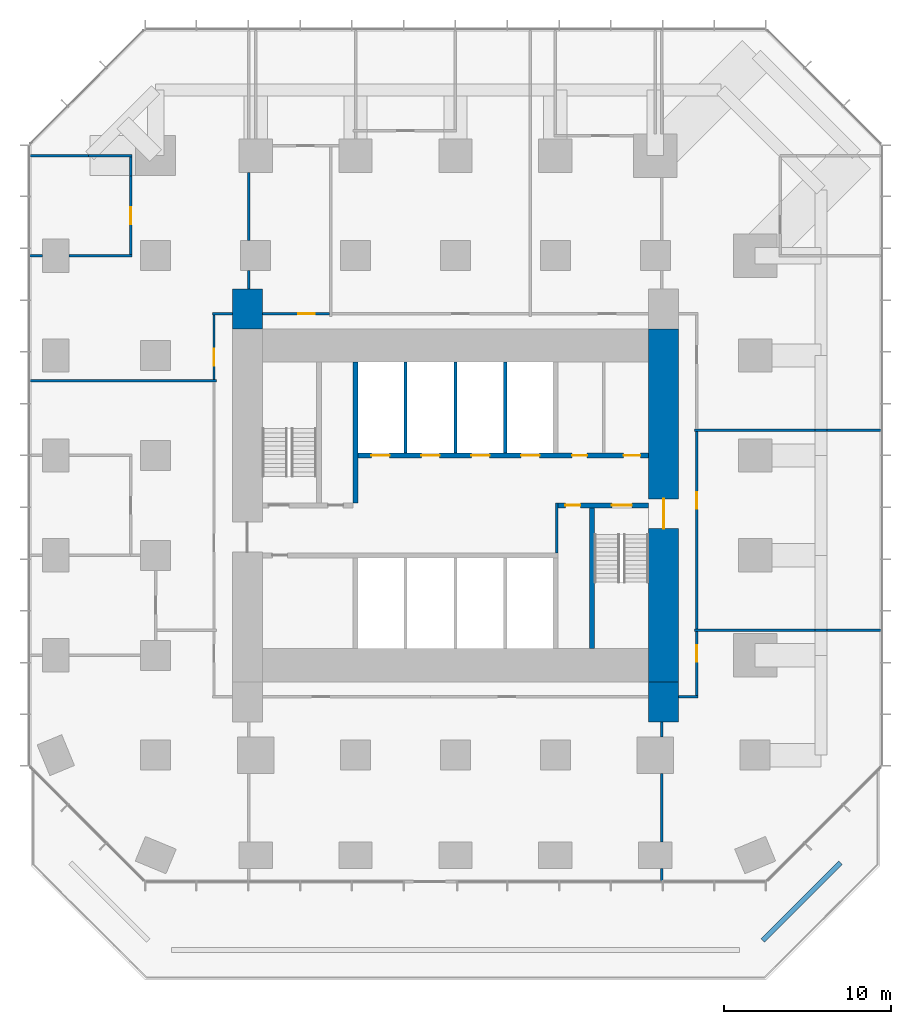
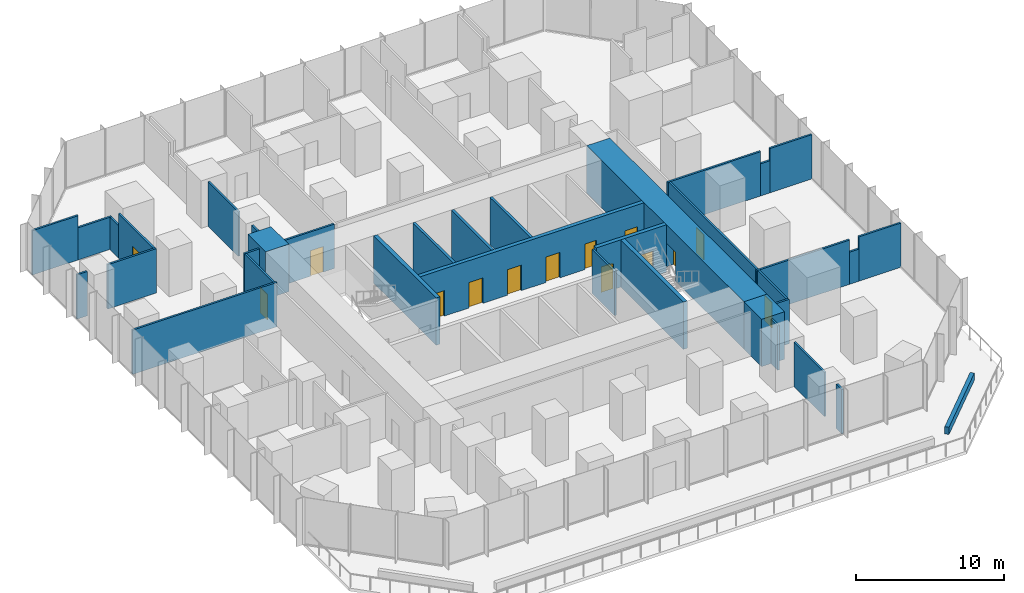
# One storey, part 9 of 12: 36 walls, 14 doors, 14 openings.
"""IFC4 building model written with IfcOpenShell, lengths in metres."""

from ifc_helpers import new_model, si_unit, direction, frame, frame_2d, origin, place, context, subcontext, project, spatial, rectangle, extrude, material, layer, layer_set, type_object, element, fill, save


model = new_model("IFC4")

# Units and contexts
model_context = context("Model", 3, precision=1e-05, world=origin(), true_north=direction((0.0, 1.0)))
body_context = subcontext(model_context, "Body", "Model", "MODEL_VIEW")
ifc_project = project(units=[si_unit("LENGTHUNIT", "METRE"), si_unit("AREAUNIT", "SQUARE_METRE"), si_unit("VOLUMEUNIT", "CUBIC_METRE"), si_unit("PLANEANGLEUNIT", "RADIAN"), si_unit("MASSUNIT", "GRAM", prefix="KILO")], contexts=[model_context])

# Site, building, storey
site_placement = place(None, origin())
site = spatial("IfcSite", under=ifc_project, at=site_placement, CompositionType="ELEMENT")
building_placement = place(site_placement, origin())
building = spatial("IfcBuilding", under=site, at=building_placement, Name="Highveld Stack Headquarters", CompositionType="ELEMENT")
storey_placement = place(building_placement, frame((0.0, 0.0, 65.0)))
storey = spatial("IfcBuildingStorey", under=building, at=storey_placement, Name="L15", CompositionType="ELEMENT", Elevation=65.0)

# Wall, opening, door
ifc_material_1 = material(Name="Concrete C60/75", Category="concrete")
ifc_layer_1 = layer(ifc_material_1, 1.800048828125)
ifc_layer_set_1 = layer_set([ifc_layer_1], Name="Concrete C60/75")
wall_type_1 = type_object("IfcWallType", Name="CORE WALL 1800 C60/75", PredefinedType="SHEAR", material=ifc_layer_set_1)
wall_1_placement = place(storey_placement, frame((18.5, -7.60009765625, 0.0), z_axis=(0.0, 0.0, 1.0), x_axis=(0.0, 1.0, 0.0)))
wall_1 = element("IfcWall", 1, at=wall_1_placement, inside=storey, type_object=wall_type_1, Name="Core wall E L15", PredefinedType="SHEAR", context=body_context, shape_type="SweptSolid", body=[
    extrude(rectangle(XDim=21.2001953125, YDim=1.800048828125, at=frame_2d((10.60009765625, 0.0))), origin(), (0.0, 0.0, 1.0), 3.89990234375),
])
opening_1_placement = place(wall_1_placement, frame((9.199951171875, 0.0, 0.0)))
opening_1 = element("IfcOpeningElement", 2, at=opening_1_placement, cuts=wall_1, Name="Opening L15-03", PredefinedType="OPENING", context=body_context, shape_type="SweptSolid", body=[
    extrude(rectangle(XDim=1.800048828125, YDim=2.39990234375, at=frame_2d((0.89990234375, 1.199951171875))), frame((0.0, 0.909912109375, 0.0), z_axis=(0.0, -1.0, 0.0), x_axis=(1.0, 0.0, 0.0)), (0.0, 0.0, 1.0), 1.820068359375),
])
ifc_material_2 = material(Name="Steel fire door", Category="steel")
door_type_1 = type_object("IfcDoorType", Name="LOBBY FIRE DOOR D4 1800x2400", OperationType="DOUBLE_DOOR_SINGLE_SWING", PredefinedType="DOOR", material=ifc_material_2)
door_1_placement = place(opening_1_placement, origin())
door_1 = element("IfcDoor", 3, at=door_1_placement, inside=storey, type_object=door_type_1, Name="Core east door L15", OperationType="DOUBLE_DOOR_SINGLE_SWING", OverallHeight=2.39990234375, OverallWidth=1.800048828125, PredefinedType="DOOR", context=body_context, shape_type="SweptSolid", body=[
    extrude(rectangle(XDim=1.800048828125, YDim=2.39990234375, at=frame_2d((0.89990234375, 1.199951171875))), frame((0.0, 0.02490234375, 0.0), z_axis=(0.0, -1.0, 0.0), x_axis=(1.0, 0.0, 0.0)), (0.0, 0.0, 1.0), 0.050048828125),
])
fill(opening_1, door_1)

# Wall, openings, doors
ifc_material_3 = material(Name="Concrete C60/75", Category="concrete")
ifc_layer_2 = layer(ifc_material_3, 0.300048828125)
ifc_layer_set_2 = layer_set([ifc_layer_2], Name="Concrete C60/75")
wall_type_2 = type_object("IfcWallType", Name="CORE WALL 300 C60/75", PredefinedType="SHEAR", material=ifc_layer_set_2)
wall_2_placement = place(storey_placement, frame((12.14990234375, 3.0, 0.0), z_axis=(0.0, 0.0, 1.0), x_axis=(1.0, 0.0, 0.0)))
wall_2 = element("IfcWall", 4, at=wall_2_placement, inside=storey, type_object=wall_type_2, Name="Core wall I-Y3E L15", PredefinedType="SHEAR", context=body_context, shape_type="SweptSolid", body=[
    extrude(rectangle(XDim=5.4501953125, YDim=0.300048828125, at=frame_2d((2.72509765625, 0.0))), origin(), (0.0, 0.0, 1.0), 3.89990234375),
])
opening_2_placement = place(wall_2_placement, frame((3.25, 0.0, 0.0)))
opening_2 = element("IfcOpeningElement", 5, at=opening_2_placement, cuts=wall_2, Name="Opening L15-06", PredefinedType="OPENING", context=body_context, shape_type="SweptSolid", body=[
    extrude(rectangle(XDim=1.199951171875, YDim=2.10009765625, at=frame_2d((0.60009765625, 1.050048828125))), frame((0.0, 0.159912109375, 0.0), z_axis=(0.0, -1.0, 0.0), x_axis=(1.0, 0.0, 0.0)), (0.0, 0.0, 1.0), 0.320068359375),
])
opening_3_placement = place(wall_2_placement, frame((0.449951171875, 0.0, 0.0)))
opening_3 = element("IfcOpeningElement", 6, at=opening_3_placement, cuts=wall_2, Name="Opening L15-07", PredefinedType="OPENING", context=body_context, shape_type="SweptSolid", body=[
    extrude(rectangle(XDim=0.89990234375, YDim=2.10009765625, at=frame_2d((0.449951171875, 1.050048828125))), frame((0.0, 0.159912109375, 0.0), z_axis=(0.0, -1.0, 0.0), x_axis=(1.0, 0.0, 0.0)), (0.0, 0.0, 1.0), 0.320068359375),
])
ifc_material_4 = material(Name="Steel fire door", Category="steel")
door_type_2 = type_object("IfcDoorType", Name="RISER ACCESS DOOR D5 900x2100", OperationType="SINGLE_SWING_LEFT", PredefinedType="DOOR", material=ifc_material_4)
door_2_placement = place(opening_3_placement, origin())
door_2 = element("IfcDoor", 7, at=door_2_placement, inside=storey, type_object=door_type_2, Name="Riser R2 door L15", OperationType="SINGLE_SWING_LEFT", OverallHeight=2.10009765625, OverallWidth=0.89990234375, PredefinedType="DOOR", context=body_context, shape_type="SweptSolid", body=[
    extrude(rectangle(XDim=0.89990234375, YDim=2.10009765625, at=frame_2d((0.449951171875, 1.050048828125))), frame((0.0, 0.02490234375, 0.0), z_axis=(0.0, -1.0, 0.0), x_axis=(1.0, 0.0, 0.0)), (0.0, 0.0, 1.0), 0.050048828125),
])
fill(opening_3, door_2)
ifc_material_5 = material(Name="Steel fire door", Category="steel")
door_type_3 = type_object("IfcDoorType", Name="STAIR FIRE DOOR D3 1200x2100", OperationType="SINGLE_SWING_LEFT", PredefinedType="DOOR", material=ifc_material_5)
door_3_placement = place(opening_2_placement, origin())
door_3 = element("IfcDoor", 8, at=door_3_placement, inside=storey, type_object=door_type_3, Name="Stair S2 door L15", OperationType="SINGLE_SWING_RIGHT", OverallHeight=2.10009765625, OverallWidth=1.199951171875, PredefinedType="DOOR", context=body_context, shape_type="SweptSolid", body=[
    extrude(rectangle(XDim=1.199951171875, YDim=2.10009765625, at=frame_2d((0.60009765625, 1.050048828125))), frame((0.0, 0.02490234375, 0.0), z_axis=(0.0, -1.0, 0.0), x_axis=(1.0, 0.0, 0.0)), (0.0, 0.0, 1.0), 0.050048828125),
])
fill(opening_2, door_3)

wall_3_placement = place(storey_placement, frame((-0.14990234375, 6.0, 0.0), z_axis=(0.0, 0.0, 1.0), x_axis=(1.0, 0.0, 0.0)))
wall_3 = element("IfcWall", 9, at=wall_3_placement, inside=storey, type_object=wall_type_2, Name="Core wall I-Y6 L15", PredefinedType="SHEAR", context=body_context, shape_type="SweptSolid", body=[
    extrude(rectangle(XDim=17.75, YDim=0.300048828125, at=frame_2d((8.875, 0.0))), origin(), (0.0, 0.0, 1.0), 3.89990234375),
])
opening_4_placement = place(wall_3_placement, frame((13.14990234375, 0.0, 0.0)))
opening_4 = element("IfcOpeningElement", 10, at=opening_4_placement, cuts=wall_3, Name="Opening L15-09", PredefinedType="OPENING", context=body_context, shape_type="SweptSolid", body=[
    extrude(rectangle(XDim=0.89990234375, YDim=2.10009765625, at=frame_2d((0.449951171875, 1.050048828125))), frame((0.0, 0.159912109375, 0.0), z_axis=(0.0, -1.0, 0.0), x_axis=(1.0, 0.0, 0.0)), (0.0, 0.0, 1.0), 0.320068359375),
])
opening_5_placement = place(wall_3_placement, frame((16.25, 0.0, 0.0)))
opening_5 = element("IfcOpeningElement", 11, at=opening_5_placement, cuts=wall_3, Name="Opening L15-10", PredefinedType="OPENING", context=body_context, shape_type="SweptSolid", body=[
    extrude(rectangle(XDim=1.0, YDim=2.10009765625, at=frame_2d((0.5, 1.050048828125))), frame((0.0, 0.159912109375, 0.0), z_axis=(0.0, -1.0, 0.0), x_axis=(1.0, 0.0, 0.0)), (0.0, 0.0, 1.0), 0.320068359375),
])
opening_6_placement = place(wall_3_placement, frame((1.10009765625, 0.0, 0.0)))
opening_6 = element("IfcOpeningElement", 12, at=opening_6_placement, cuts=wall_3, Name="Opening LD", PredefinedType="OPENING", context=body_context, shape_type="SweptSolid", body=[
    extrude(rectangle(XDim=1.10009765625, YDim=2.10009765625, at=frame_2d((0.550048828125, 1.050048828125))), frame((0.0, 0.159912109375, 0.0), z_axis=(0.0, -1.0, 0.0), x_axis=(1.0, 0.0, 0.0)), (0.0, 0.0, 1.0), 0.320068359375),
])
opening_7_placement = place(wall_3_placement, frame((4.10009765625, 0.0, 0.0)))
opening_7 = element("IfcOpeningElement", 13, at=opening_7_placement, cuts=wall_3, Name="Opening LD", PredefinedType="OPENING", context=body_context, shape_type="SweptSolid", body=[
    extrude(rectangle(XDim=1.10009765625, YDim=2.10009765625, at=frame_2d((0.550048828125, 1.050048828125))), frame((0.0, 0.159912109375, 0.0), z_axis=(0.0, -1.0, 0.0), x_axis=(1.0, 0.0, 0.0)), (0.0, 0.0, 1.0), 0.320068359375),
])
opening_8_placement = place(wall_3_placement, frame((7.10009765625, 0.0, 0.0)))
opening_8 = element("IfcOpeningElement", 14, at=opening_8_placement, cuts=wall_3, Name="Opening LD", PredefinedType="OPENING", context=body_context, shape_type="SweptSolid", body=[
    extrude(rectangle(XDim=1.10009765625, YDim=2.10009765625, at=frame_2d((0.550048828125, 1.050048828125))), frame((0.0, 0.159912109375, 0.0), z_axis=(0.0, -1.0, 0.0), x_axis=(1.0, 0.0, 0.0)), (0.0, 0.0, 1.0), 0.320068359375),
])
opening_9_placement = place(wall_3_placement, frame((10.10009765625, 0.0, 0.0)))
opening_9 = element("IfcOpeningElement", 15, at=opening_9_placement, cuts=wall_3, Name="Opening LD", PredefinedType="OPENING", context=body_context, shape_type="SweptSolid", body=[
    extrude(rectangle(XDim=1.10009765625, YDim=2.10009765625, at=frame_2d((0.550048828125, 1.050048828125))), frame((0.0, 0.159912109375, 0.0), z_axis=(0.0, -1.0, 0.0), x_axis=(1.0, 0.0, 0.0)), (0.0, 0.0, 1.0), 0.320068359375),
])
ifc_material_6 = material(Name="Timber door, painted", Category="wood")
door_type_4 = type_object("IfcDoorType", Name="ACCESSIBLE WC DOOR D2 1000x2100", OperationType="SINGLE_SWING_RIGHT", PredefinedType="DOOR", material=ifc_material_6)
door_4_placement = place(opening_5_placement, origin())
door_4 = element("IfcDoor", 16, at=door_4_placement, inside=storey, type_object=door_type_4, Name="Accessible WC door L15", OperationType="SINGLE_SWING_RIGHT", OverallHeight=2.10009765625, OverallWidth=1.0, PredefinedType="DOOR", context=body_context, shape_type="SweptSolid", body=[
    extrude(rectangle(XDim=1.0, YDim=2.10009765625, at=frame_2d((0.5, 1.050048828125))), frame((0.0, 0.02490234375, 0.0), z_axis=(0.0, -1.0, 0.0), x_axis=(1.0, 0.0, 0.0)), (0.0, 0.0, 1.0), 0.050048828125),
])
fill(opening_5, door_4)
ifc_material_7 = material(Name="Stainless steel lift landing door", Category="steel")
door_type_5 = type_object("IfcDoorType", Name="LIFT LANDING DOOR LD 1100x2100", OperationType="DOUBLE_DOOR_SLIDING", PredefinedType="USERDEFINED", material=ifc_material_7)
door_5_placement = place(opening_6_placement, origin())
door_5 = element("IfcDoor", 17, at=door_5_placement, inside=storey, type_object=door_type_5, Name="Lift landing door FF1 L15", ObjectType="LIFT LANDING DOOR", OperationType="DOUBLE_DOOR_SLIDING", OverallHeight=2.10009765625, OverallWidth=1.10009765625, PredefinedType="USERDEFINED", context=body_context, shape_type="SweptSolid", body=[
    extrude(rectangle(XDim=1.10009765625, YDim=2.10009765625, at=frame_2d((0.550048828125, 1.050048828125))), frame((0.0, 0.02490234375, 0.0), z_axis=(0.0, -1.0, 0.0), x_axis=(1.0, 0.0, 0.0)), (0.0, 0.0, 1.0), 0.050048828125),
])
fill(opening_6, door_5)
door_6_placement = place(opening_7_placement, origin())
door_6 = element("IfcDoor", 18, at=door_6_placement, inside=storey, type_object=door_type_5, Name="Lift landing door FF2 L15", ObjectType="LIFT LANDING DOOR", OperationType="DOUBLE_DOOR_SLIDING", OverallHeight=2.10009765625, OverallWidth=1.10009765625, PredefinedType="USERDEFINED", context=body_context, shape_type="SweptSolid", body=[
    extrude(rectangle(XDim=1.10009765625, YDim=2.10009765625, at=frame_2d((0.550048828125, 1.050048828125))), frame((0.0, 0.02490234375, 0.0), z_axis=(0.0, -1.0, 0.0), x_axis=(1.0, 0.0, 0.0)), (0.0, 0.0, 1.0), 0.050048828125),
])
fill(opening_7, door_6)
door_7_placement = place(opening_8_placement, origin())
door_7 = element("IfcDoor", 19, at=door_7_placement, inside=storey, type_object=door_type_5, Name="Lift landing door A1 L15", ObjectType="LIFT LANDING DOOR", OperationType="DOUBLE_DOOR_SLIDING", OverallHeight=2.10009765625, OverallWidth=1.10009765625, PredefinedType="USERDEFINED", context=body_context, shape_type="SweptSolid", body=[
    extrude(rectangle(XDim=1.10009765625, YDim=2.10009765625, at=frame_2d((0.550048828125, 1.050048828125))), frame((0.0, 0.02490234375, 0.0), z_axis=(0.0, -1.0, 0.0), x_axis=(1.0, 0.0, 0.0)), (0.0, 0.0, 1.0), 0.050048828125),
])
fill(opening_8, door_7)
door_8_placement = place(opening_9_placement, origin())
door_8 = element("IfcDoor", 20, at=door_8_placement, inside=storey, type_object=door_type_5, Name="Lift landing door A2 L15", ObjectType="LIFT LANDING DOOR", OperationType="DOUBLE_DOOR_SLIDING", OverallHeight=2.10009765625, OverallWidth=1.10009765625, PredefinedType="USERDEFINED", context=body_context, shape_type="SweptSolid", body=[
    extrude(rectangle(XDim=1.10009765625, YDim=2.10009765625, at=frame_2d((0.550048828125, 1.050048828125))), frame((0.0, 0.02490234375, 0.0), z_axis=(0.0, -1.0, 0.0), x_axis=(1.0, 0.0, 0.0)), (0.0, 0.0, 1.0), 0.050048828125),
])
fill(opening_9, door_8)
ifc_material_8 = material(Name="Timber door, painted", Category="wood")
door_type_6 = type_object("IfcDoorType", Name="WC DOOR D1 900x2100", OperationType="SINGLE_SWING_LEFT", PredefinedType="DOOR", material=ifc_material_8)
door_9_placement = place(opening_4_placement, origin())
door_9 = element("IfcDoor", 21, at=door_9_placement, inside=storey, type_object=door_type_6, Name="Male WC door L15", OperationType="SINGLE_SWING_RIGHT", OverallHeight=2.10009765625, OverallWidth=0.89990234375, PredefinedType="DOOR", context=body_context, shape_type="SweptSolid", body=[
    extrude(rectangle(XDim=0.89990234375, YDim=2.10009765625, at=frame_2d((0.449951171875, 1.050048828125))), frame((0.0, 0.02490234375, 0.0), z_axis=(0.0, -1.0, 0.0), x_axis=(1.0, 0.0, 0.0)), (0.0, 0.0, 1.0), 0.050048828125),
])
fill(opening_4, door_9)

# Walls
for number, where, z_axis, x_axis, name in (
    (22, (0.0, 3.14990234375, 0.0), (0.0, 0.0, 1.0), (0.0, 1.0, 0.0), "Core wall I-X0N L15"),
    (23, (14.199951171875, -5.60009765625, 0.0), (0.0, 0.0, 1.0), (0.0, 1.0, 0.0), "Core wall I-RE L15"),
):
    element("IfcWall", number, at=place(storey_placement, frame(where, z_axis=z_axis, x_axis=x_axis)), inside=storey, type_object=wall_type_2, Name=name, PredefinedType="SHEAR", context=body_context, shape_type="SweptSolid", body=[
        extrude(rectangle(XDim=8.4501953125, YDim=0.300048828125, at=frame_2d((4.22509765625, 0.0))), origin(), (0.0, 0.0, 1.0), 3.89990234375),
    ])
ifc_material_9 = material(Name="Concrete C60/75", Category="concrete")
ifc_layer_3 = layer(ifc_material_9, 1.800048828125)
ifc_layer_set_3 = layer_set([ifc_layer_3], Name="Concrete C60/75")
wall_type_3 = type_object("IfcWallType", Name="CORE WING WALL 1800 C60/75", PredefinedType="SHEAR", material=ifc_layer_set_3)
for number, where, z_axis, x_axis, name in (
    (24, (-6.5, 13.60009765625, 0.0), (0.0, 0.0, 1.0), (0.0, 1.0, 0.0), "Core wing wall WN L15"),
    (25, (18.5, -10.0, 0.0), (0.0, 0.0, 1.0), (0.0, 1.0, 0.0), "Core wing wall ES L15"),
):
    element("IfcWall", number, at=place(storey_placement, frame(where, z_axis=z_axis, x_axis=x_axis)), inside=storey, type_object=wall_type_3, Name=name, PredefinedType="SHEAR", context=body_context, shape_type="SweptSolid", body=[
        extrude(rectangle(XDim=2.39990234375, YDim=1.800048828125, at=frame_2d((1.199951171875, 0.0))), origin(), (0.0, 0.0, 1.0), 3.89990234375),
    ])
ifc_material_10 = material(Name="Concrete blockwork, plastered", Category="masonry")
ifc_layer_4 = layer(ifc_material_10, 0.14990234375)
ifc_layer_set_4 = layer_set([ifc_layer_4], Name="Concrete blockwork, plastered")
wall_type_4 = type_object("IfcWallType", Name="FIRE PARTITION 150 BLOCKWORK", PredefinedType="PARTITIONING", material=ifc_layer_set_4)
wall_4_placement = place(storey_placement, frame((12.074951171875, 0.14990234375, 0.0), z_axis=(0.0, 0.0, 1.0), x_axis=(0.0, 1.0, 0.0)))
element("IfcWall", 26, at=wall_4_placement, inside=storey, type_object=wall_type_4, Name="Riser R2 enclosure L15", PredefinedType="PARTITIONING", context=body_context, shape_type="SweptSolid", body=[
    extrude(rectangle(XDim=3.0, YDim=0.14990234375, at=frame_2d((1.5, 0.0))), origin(), (0.0, 0.0, 1.0), 3.64990234375),
])
ifc_material_11 = material(Name="Concrete blockwork, fair-faced", Category="masonry")
ifc_layer_5 = layer(ifc_material_11, 0.199951171875)
ifc_layer_set_5 = layer_set([ifc_layer_5], Name="Concrete blockwork, fair-faced")
wall_type_5 = type_object("IfcWallType", Name="LIFT SHAFT ENCLOSURE WALL 200 BLOCKWORK", PredefinedType="SOLIDWALL", material=ifc_layer_set_5)
for number, where, z_axis, x_axis, name in (
    (27, (3.0, 6.14990234375, 0.0), (0.0, 0.0, 1.0), (0.0, 1.0, 0.0), "Lift shaft wall L15"),
    (28, (6.0, 6.14990234375, 0.0), (0.0, 0.0, 1.0), (0.0, 1.0, 0.0), "Lift shaft wall L15"),
    (29, (9.0, 6.14990234375, 0.0), (0.0, 0.0, 1.0), (0.0, 1.0, 0.0), "Lift shaft wall L15"),
):
    element("IfcWall", number, at=place(storey_placement, frame(where, z_axis=z_axis, x_axis=x_axis)), inside=storey, type_object=wall_type_5, Name=name, PredefinedType="SOLIDWALL", context=body_context, shape_type="SweptSolid", body=[
        extrude(rectangle(XDim=5.4501953125, YDim=0.199951171875, at=frame_2d((2.72509765625, 0.0))), origin(), (0.0, 0.0, 1.0), 3.89990234375),
    ])
ifc_material_12 = material(Name="Gypsum plasterboard on steel studs", Category="steel")
ifc_layer_6 = layer(ifc_material_12, 0.14990234375)
ifc_layer_set_6 = layer_set([ifc_layer_6], Name="Gypsum plasterboard on steel studs")
wall_type_6 = type_object("IfcWallType", Name="PARTITION 150 PLASTERBOARD", PredefinedType="PARTITIONING", material=ifc_layer_set_6)
wall_5_placement = place(storey_placement, frame((-19.60009765625, 18.0, 0.0), z_axis=(0.0, 0.0, 1.0), x_axis=(1.0, 0.0, 0.0)))
element("IfcWall", 30, at=wall_5_placement, inside=storey, type_object=wall_type_6, Name="Partition Quiet room L15", PredefinedType="PARTITIONING", context=body_context, shape_type="SweptSolid", body=[
    extrude(rectangle(XDim=0.800048828125, YDim=0.14990234375, at=frame_2d((0.39990234375, 0.0))), origin(), (0.0, 0.0, 1.0), 3.64990234375),
])
wall_6_placement = place(storey_placement, frame((-17.199951171875, 18.0, 0.0), z_axis=(0.0, 0.0, 1.0), x_axis=(1.0, 0.0, 0.0)))
element("IfcWall", 31, at=wall_6_placement, inside=storey, type_object=wall_type_6, Name="Partition Quiet room L15", PredefinedType="PARTITIONING", context=body_context, shape_type="SweptSolid", body=[
    extrude(rectangle(XDim=3.77490234375, YDim=0.14990234375, at=frame_2d((1.887451171875, 0.0))), origin(), (0.0, 0.0, 1.0), 3.64990234375),
])
wall_7_placement = place(storey_placement, frame((-19.60009765625, 24.0, 0.0), z_axis=(0.0, 0.0, 1.0), x_axis=(1.0, 0.0, 0.0)))
element("IfcWall", 32, at=wall_7_placement, inside=storey, type_object=wall_type_6, Name="Partition Quiet room L15", PredefinedType="PARTITIONING", context=body_context, shape_type="SweptSolid", body=[
    extrude(rectangle(XDim=3.55517578125, YDim=0.14990234375, at=frame_2d((1.777587890625, 0.0))), origin(), (0.0, 0.0, 1.0), 3.64990234375),
])
wall_8_placement = place(storey_placement, frame((-16.044921875, 24.0, 0.0), z_axis=(0.0, 0.0, 1.0), x_axis=(1.0, 0.0, 0.0)))
element("IfcWall", 33, at=wall_8_placement, inside=storey, type_object=wall_type_6, Name="Partition Quiet room L15", PredefinedType="PARTITIONING", context=body_context, shape_type="SweptSolid", body=[
    extrude(rectangle(XDim=2.619873046875, YDim=0.14990234375, at=frame_2d((1.31005859375, 0.0))), origin(), (0.0, 0.0, 1.0), 2.64990234375),
])

# Wall, opening, door
wall_9_placement = place(storey_placement, frame((-13.5, 18.074951171875, 0.0), z_axis=(0.0, 0.0, 1.0), x_axis=(0.0, 1.0, 0.0)))
wall_9 = element("IfcWall", 34, at=wall_9_placement, inside=storey, type_object=wall_type_6, Name="Partition Quiet room L15", PredefinedType="PARTITIONING", context=body_context, shape_type="SweptSolid", body=[
    extrude(rectangle(XDim=4.715087890625, YDim=0.14990234375, at=frame_2d((2.357421875, 0.0))), origin(), (0.0, 0.0, 1.0), 3.64990234375),
])
opening_10_placement = place(wall_9_placement, frame((1.820068359375, 0.0, 0.0)))
opening_10 = element("IfcOpeningElement", 35, at=opening_10_placement, cuts=wall_9, Name="Opening L15-13", PredefinedType="OPENING", context=body_context, shape_type="SweptSolid", body=[
    extrude(rectangle(XDim=1.0, YDim=2.10009765625, at=frame_2d((0.5, 1.050048828125))), frame((0.0, 0.0849609375, 0.0), z_axis=(0.0, -1.0, 0.0), x_axis=(1.0, 0.0, 0.0)), (0.0, 0.0, 1.0), 0.169921875),
])
ifc_material_13 = material(Name="Timber door, oiled ash", Category="wood")
door_type_7 = type_object("IfcDoorType", Name="ROOM DOOR D6 1000x2100", OperationType="SINGLE_SWING_LEFT", PredefinedType="DOOR", material=ifc_material_13)
door_10_placement = place(opening_10_placement, origin())
door_10 = element("IfcDoor", 36, at=door_10_placement, inside=storey, type_object=door_type_7, Name="Quiet room door 1 L15", OperationType="SINGLE_SWING_LEFT", OverallHeight=2.10009765625, OverallWidth=1.0, PredefinedType="DOOR", context=body_context, shape_type="SweptSolid", body=[
    extrude(rectangle(XDim=1.0, YDim=2.10009765625, at=frame_2d((0.5, 1.050048828125))), frame((0.0, 0.02490234375, 0.0), z_axis=(0.0, -1.0, 0.0), x_axis=(1.0, 0.0, 0.0)), (0.0, 0.0, 1.0), 0.050048828125),
])
fill(opening_10, door_10)

# Walls
wall_10_placement = place(storey_placement, frame((-13.5, 22.7900390625, 0.0), z_axis=(0.0, 0.0, 1.0), x_axis=(0.0, 1.0, 0.0)))
element("IfcWall", 37, at=wall_10_placement, inside=storey, type_object=wall_type_6, Name="Partition Quiet room L15", PredefinedType="PARTITIONING", context=body_context, shape_type="SweptSolid", body=[
    extrude(rectangle(XDim=1.135009765625, YDim=0.14990234375, at=frame_2d((0.5673828125, 0.0))), origin(), (0.0, 0.0, 1.0), 2.64990234375),
])
wall_11_placement = place(storey_placement, frame((-19.60009765625, 10.5, 0.0), z_axis=(0.0, 0.0, 1.0), x_axis=(1.0, 0.0, 0.0)))
element("IfcWall", 38, at=wall_11_placement, inside=storey, type_object=wall_type_6, Name="Partition office neighbourhood L15", PredefinedType="PARTITIONING", context=body_context, shape_type="SweptSolid", body=[
    extrude(rectangle(XDim=11.25, YDim=0.14990234375, at=frame_2d((5.625, 0.0))), origin(), (0.0, 0.0, 1.0), 3.64990234375),
])

# Wall, opening, door
wall_12_placement = place(storey_placement, frame((-8.5, 10.574951171875, 0.0), z_axis=(0.0, 0.0, 1.0), x_axis=(0.0, 1.0, 0.0)))
wall_12 = element("IfcWall", 39, at=wall_12_placement, inside=storey, type_object=wall_type_6, Name="Partition office neighbourhood L15", PredefinedType="PARTITIONING", context=body_context, shape_type="SweptSolid", body=[
    extrude(rectangle(XDim=3.85009765625, YDim=0.14990234375, at=frame_2d((1.925048828125, 0.0))), origin(), (0.0, 0.0, 1.0), 3.64990234375),
])
opening_11_placement = place(wall_12_placement, frame((0.824951171875, 0.0, 0.0)))
opening_11 = element("IfcOpeningElement", 40, at=opening_11_placement, cuts=wall_12, Name="Opening L15-23", PredefinedType="OPENING", context=body_context, shape_type="SweptSolid", body=[
    extrude(rectangle(XDim=1.0, YDim=2.10009765625, at=frame_2d((0.5, 1.050048828125))), frame((0.0, 0.0849609375, 0.0), z_axis=(0.0, -1.0, 0.0), x_axis=(1.0, 0.0, 0.0)), (0.0, 0.0, 1.0), 0.169921875),
])
door_11_placement = place(opening_11_placement, origin())
door_11 = element("IfcDoor", 41, at=door_11_placement, inside=storey, type_object=door_type_7, Name="Office neighbourhood door L15", OperationType="SINGLE_SWING_LEFT", OverallHeight=2.10009765625, OverallWidth=1.0, PredefinedType="DOOR", context=body_context, shape_type="SweptSolid", body=[
    extrude(rectangle(XDim=1.0, YDim=2.10009765625, at=frame_2d((0.5, 1.050048828125))), frame((0.0, 0.02490234375, 0.0), z_axis=(0.0, -1.0, 0.0), x_axis=(1.0, 0.0, 0.0)), (0.0, 0.0, 1.0), 0.050048828125),
])
fill(opening_11, door_11)

# Walls
wall_13_placement = place(storey_placement, frame((-8.574951171875, 14.5, 0.0), z_axis=(0.0, 0.0, 1.0), x_axis=(1.0, 0.0, 0.0)))
element("IfcWall", 42, at=wall_13_placement, inside=storey, type_object=wall_type_6, Name="Partition office neighbourhood L15", PredefinedType="PARTITIONING", context=body_context, shape_type="SweptSolid", body=[
    extrude(rectangle(XDim=1.175048828125, YDim=0.14990234375, at=frame_2d((0.58740234375, 0.0))), origin(), (0.0, 0.0, 1.0), 3.64990234375),
])
wall_14_placement = place(storey_placement, frame((-6.39990234375, 16.0, 0.0), z_axis=(0.0, 0.0, 1.0), x_axis=(0.0, 1.0, 0.0)))
element("IfcWall", 43, at=wall_14_placement, inside=storey, type_object=wall_type_6, Name="Partition office neighbourhood L15", PredefinedType="PARTITIONING", context=body_context, shape_type="SweptSolid", body=[
    extrude(rectangle(XDim=1.10009765625, YDim=0.14990234375, at=frame_2d((0.550048828125, 0.0))), origin(), (0.0, 0.0, 1.0), 3.64990234375),
])
wall_15_placement = place(storey_placement, frame((-6.39990234375, 18.89990234375, 0.0), z_axis=(0.0, 0.0, 1.0), x_axis=(0.0, 1.0, 0.0)))
element("IfcWall", 44, at=wall_15_placement, inside=storey, type_object=wall_type_6, Name="Partition office neighbourhood L15", PredefinedType="PARTITIONING", context=body_context, shape_type="SweptSolid", body=[
    extrude(rectangle(XDim=4.10009765625, YDim=0.14990234375, at=frame_2d((2.050048828125, 0.0))), origin(), (0.0, 0.0, 1.0), 3.64990234375),
])

# Wall, opening, door
wall_16_placement = place(storey_placement, frame((-5.60009765625, 14.5, 0.0), z_axis=(0.0, 0.0, 1.0), x_axis=(1.0, 0.0, 0.0)))
wall_16 = element("IfcWall", 45, at=wall_16_placement, inside=storey, type_object=wall_type_6, Name="Partition office neighbourhood L15", PredefinedType="PARTITIONING", context=body_context, shape_type="SweptSolid", body=[
    extrude(rectangle(XDim=4.025146484375, YDim=0.14990234375, at=frame_2d((2.0126953125, 0.0))), origin(), (0.0, 0.0, 1.0), 3.64990234375),
])
opening_12_placement = place(wall_16_placement, frame((2.1650390625, 0.0, 0.0)))
opening_12 = element("IfcOpeningElement", 46, at=opening_12_placement, cuts=wall_16, Name="Opening L15-26", PredefinedType="OPENING", context=body_context, shape_type="SweptSolid", body=[
    extrude(rectangle(XDim=1.0, YDim=2.10009765625, at=frame_2d((0.5, 1.050048828125))), frame((0.0, 0.0849609375, 0.0), z_axis=(0.0, -1.0, 0.0), x_axis=(1.0, 0.0, 0.0)), (0.0, 0.0, 1.0), 0.169921875),
])
door_12_placement = place(opening_12_placement, origin())
door_12 = element("IfcDoor", 47, at=door_12_placement, inside=storey, type_object=door_type_7, Name="Office neighbourhood door L15", OperationType="SINGLE_SWING_RIGHT", OverallHeight=2.10009765625, OverallWidth=1.0, PredefinedType="DOOR", context=body_context, shape_type="SweptSolid", body=[
    extrude(rectangle(XDim=1.0, YDim=2.10009765625, at=frame_2d((0.5, 1.050048828125))), frame((0.0, 0.02490234375, 0.0), z_axis=(0.0, -1.0, 0.0), x_axis=(1.0, 0.0, 0.0)), (0.0, 0.0, 1.0), 0.050048828125),
])
fill(opening_12, door_12)

# Walls
wall_17_placement = place(storey_placement, frame((18.39990234375, -19.550048828125, 0.0), z_axis=(0.0, 0.0, 1.0), x_axis=(0.0, 1.0, 0.0)))
element("IfcWall", 48, at=wall_17_placement, inside=storey, type_object=wall_type_6, Name="Partition office neighbourhood L15", PredefinedType="PARTITIONING", context=body_context, shape_type="SweptSolid", body=[
    extrude(rectangle(XDim=0.75, YDim=0.14990234375, at=frame_2d((0.375, 0.0))), origin(), (0.0, 0.0, 1.0), 3.64990234375),
])
wall_18_placement = place(storey_placement, frame((18.39990234375, -17.199951171875, 0.0), z_axis=(0.0, 0.0, 1.0), x_axis=(0.0, 1.0, 0.0)))
element("IfcWall", 49, at=wall_18_placement, inside=storey, type_object=wall_type_6, Name="Partition office neighbourhood L15", PredefinedType="PARTITIONING", context=body_context, shape_type="SweptSolid", body=[
    extrude(rectangle(XDim=4.099853515625, YDim=0.14990234375, at=frame_2d((2.0498046875, 0.0))), origin(), (0.0, 0.0, 1.0), 3.64990234375),
])
wall_19_placement = place(storey_placement, frame((18.39990234375, -10.89990234375, 0.0), z_axis=(0.0, 0.0, 1.0), x_axis=(0.0, 1.0, 0.0)))
element("IfcWall", 50, at=wall_19_placement, inside=storey, type_object=wall_type_6, Name="Partition office neighbourhood L15", PredefinedType="PARTITIONING", context=body_context, shape_type="SweptSolid", body=[
    extrude(rectangle(XDim=0.89990234375, YDim=0.14990234375, at=frame_2d((0.449951171875, 0.0))), origin(), (0.0, 0.0, 1.0), 3.64990234375),
])
wall_20_placement = place(storey_placement, frame((19.39990234375, -8.5, 0.0), z_axis=(0.0, 0.0, 1.0), x_axis=(1.0, 0.0, 0.0)))
element("IfcWall", 51, at=wall_20_placement, inside=storey, type_object=wall_type_6, Name="Partition office neighbourhood L15", PredefinedType="PARTITIONING", context=body_context, shape_type="SweptSolid", body=[
    extrude(rectangle(XDim=1.175048828125, YDim=0.14990234375, at=frame_2d((0.58740234375, 0.0))), origin(), (0.0, 0.0, 1.0), 3.64990234375),
])

# Wall, opening, door
wall_21_placement = place(storey_placement, frame((20.5, -8.425048828125, 0.0), z_axis=(0.0, 0.0, 1.0), x_axis=(0.0, 1.0, 0.0)))
wall_21 = element("IfcWall", 52, at=wall_21_placement, inside=storey, type_object=wall_type_6, Name="Partition office neighbourhood L15", PredefinedType="PARTITIONING", context=body_context, shape_type="SweptSolid", body=[
    extrude(rectangle(XDim=3.85009765625, YDim=0.14990234375, at=frame_2d((1.925048828125, 0.0))), origin(), (0.0, 0.0, 1.0), 3.64990234375),
])
opening_13_placement = place(wall_21_placement, frame((2.02490234375, 0.0, 0.0)))
opening_13 = element("IfcOpeningElement", 53, at=opening_13_placement, cuts=wall_21, Name="Opening L15-19", PredefinedType="OPENING", context=body_context, shape_type="SweptSolid", body=[
    extrude(rectangle(XDim=1.0, YDim=2.10009765625, at=frame_2d((0.5, 1.050048828125))), frame((0.0, 0.0849609375, 0.0), z_axis=(0.0, -1.0, 0.0), x_axis=(1.0, 0.0, 0.0)), (0.0, 0.0, 1.0), 0.169921875),
])
door_13_placement = place(opening_13_placement, origin())
door_13 = element("IfcDoor", 54, at=door_13_placement, inside=storey, type_object=door_type_7, Name="Office neighbourhood door L15", OperationType="SINGLE_SWING_RIGHT", OverallHeight=2.10009765625, OverallWidth=1.0, PredefinedType="DOOR", context=body_context, shape_type="SweptSolid", body=[
    extrude(rectangle(XDim=1.0, YDim=2.10009765625, at=frame_2d((0.5, 1.050048828125))), frame((0.0, 0.02490234375, 0.0), z_axis=(0.0, -1.0, 0.0), x_axis=(1.0, 0.0, 0.0)), (0.0, 0.0, 1.0), 0.050048828125),
])
fill(opening_13, door_13)

wall_22_placement = place(storey_placement, frame((20.5, -4.425048828125, 0.0), z_axis=(0.0, 0.0, 1.0), x_axis=(0.0, 1.0, 0.0)))
wall_22 = element("IfcWall", 55, at=wall_22_placement, inside=storey, type_object=wall_type_6, Name="Partition office neighbourhood L15", PredefinedType="PARTITIONING", context=body_context, shape_type="SweptSolid", body=[
    extrude(rectangle(XDim=11.85009765625, YDim=0.14990234375, at=frame_2d((5.925048828125, 0.0))), origin(), (0.0, 0.0, 1.0), 3.64990234375),
])
opening_14_placement = place(wall_22_placement, frame((7.22509765625, 0.0, 0.0)))
opening_14 = element("IfcOpeningElement", 56, at=opening_14_placement, cuts=wall_22, Name="Opening L15-20", PredefinedType="OPENING", context=body_context, shape_type="SweptSolid", body=[
    extrude(rectangle(XDim=1.0, YDim=2.10009765625, at=frame_2d((0.5, 1.050048828125))), frame((0.0, 0.0849609375, 0.0), z_axis=(0.0, -1.0, 0.0), x_axis=(1.0, 0.0, 0.0)), (0.0, 0.0, 1.0), 0.169921875),
])
door_14_placement = place(opening_14_placement, origin())
door_14 = element("IfcDoor", 57, at=door_14_placement, inside=storey, type_object=door_type_7, Name="Office neighbourhood door L15", OperationType="SINGLE_SWING_RIGHT", OverallHeight=2.10009765625, OverallWidth=1.0, PredefinedType="DOOR", context=body_context, shape_type="SweptSolid", body=[
    extrude(rectangle(XDim=1.0, YDim=2.10009765625, at=frame_2d((0.5, 1.050048828125))), frame((0.0, 0.02490234375, 0.0), z_axis=(0.0, -1.0, 0.0), x_axis=(1.0, 0.0, 0.0)), (0.0, 0.0, 1.0), 0.050048828125),
])
fill(opening_14, door_14)

# Walls
wall_23_placement = place(storey_placement, frame((20.35009765625, -4.5, 0.0), z_axis=(0.0, 0.0, 1.0), x_axis=(1.0, 0.0, 0.0)))
element("IfcWall", 58, at=wall_23_placement, inside=storey, type_object=wall_type_6, Name="Partition office neighbourhood L15", PredefinedType="PARTITIONING", context=body_context, shape_type="SweptSolid", body=[
    extrude(rectangle(XDim=7.239990234375, YDim=0.14990234375, at=frame_2d((3.6201171875, 0.0))), origin(), (0.0, 0.0, 1.0), 3.64990234375),
])
wall_24_placement = place(storey_placement, frame((27.590087890625, -4.5, 0.0), z_axis=(0.0, 0.0, 1.0), x_axis=(1.0, 0.0, 0.0)))
element("IfcWall", 59, at=wall_24_placement, inside=storey, type_object=wall_type_6, Name="Partition office neighbourhood L15", PredefinedType="PARTITIONING", context=body_context, shape_type="SweptSolid", body=[
    extrude(rectangle(XDim=0.719970703125, YDim=0.14990234375, at=frame_2d((0.35986328125, 0.0))), origin(), (0.0, 0.0, 1.0), 2.64990234375),
])
wall_25_placement = place(storey_placement, frame((28.31005859375, -4.5, 0.0), z_axis=(0.0, 0.0, 1.0), x_axis=(1.0, 0.0, 0.0)))
element("IfcWall", 60, at=wall_25_placement, inside=storey, type_object=wall_type_6, Name="Partition office neighbourhood L15", PredefinedType="PARTITIONING", context=body_context, shape_type="SweptSolid", body=[
    extrude(rectangle(XDim=3.2900390625, YDim=0.14990234375, at=frame_2d((1.64501953125, 0.0))), origin(), (0.0, 0.0, 1.0), 3.64990234375),
])
wall_26_placement = place(storey_placement, frame((20.35009765625, 7.5, 0.0), z_axis=(0.0, 0.0, 1.0), x_axis=(1.0, 0.0, 0.0)))
element("IfcWall", 61, at=wall_26_placement, inside=storey, type_object=wall_type_6, Name="Partition office neighbourhood L15", PredefinedType="PARTITIONING", context=body_context, shape_type="SweptSolid", body=[
    extrude(rectangle(XDim=7.239990234375, YDim=0.14990234375, at=frame_2d((3.6201171875, 0.0))), origin(), (0.0, 0.0, 1.0), 3.64990234375),
])
wall_27_placement = place(storey_placement, frame((27.590087890625, 7.5, 0.0), z_axis=(0.0, 0.0, 1.0), x_axis=(1.0, 0.0, 0.0)))
element("IfcWall", 62, at=wall_27_placement, inside=storey, type_object=wall_type_6, Name="Partition office neighbourhood L15", PredefinedType="PARTITIONING", context=body_context, shape_type="SweptSolid", body=[
    extrude(rectangle(XDim=0.719970703125, YDim=0.14990234375, at=frame_2d((0.35986328125, 0.0))), origin(), (0.0, 0.0, 1.0), 2.64990234375),
])
wall_28_placement = place(storey_placement, frame((28.31005859375, 7.5, 0.0), z_axis=(0.0, 0.0, 1.0), x_axis=(1.0, 0.0, 0.0)))
element("IfcWall", 63, at=wall_28_placement, inside=storey, type_object=wall_type_6, Name="Partition office neighbourhood L15", PredefinedType="PARTITIONING", context=body_context, shape_type="SweptSolid", body=[
    extrude(rectangle(XDim=3.2900390625, YDim=0.14990234375, at=frame_2d((1.64501953125, 0.0))), origin(), (0.0, 0.0, 1.0), 3.64990234375),
])
ifc_material_14 = material(Name="Concrete C40/50, precast planter", Category="concrete")
ifc_layer_7 = layer(ifc_material_14, 0.300048828125)
ifc_layer_set_7 = layer_set([ifc_layer_7], Name="Concrete C40/50, precast planter")
wall_type_7 = type_object("IfcWallType", Name="PLANTER WALL PL1 300", PredefinedType="USERDEFINED", material=ifc_layer_set_7)
wall_29_placement = place(storey_placement, frame((29.12255859375, -18.453125, 0.0), z_axis=(0.0, 0.0, 1.0), x_axis=(-0.707106781187, -0.707106781187, 0.0)))
element("IfcWall", 64, at=wall_29_placement, inside=storey, type_object=wall_type_7, Name="Planter L15 1.2", ObjectType="PLANTER", PredefinedType="USERDEFINED", context=body_context, shape_type="SweptSolid", body=[
    extrude(rectangle(XDim=6.603515625, YDim=0.300048828125, at=frame_2d((3.3017578125, 0.0))), origin(), (0.0, 0.0, 1.0), 0.60009765625),
])

save(model, "model.ifc")
